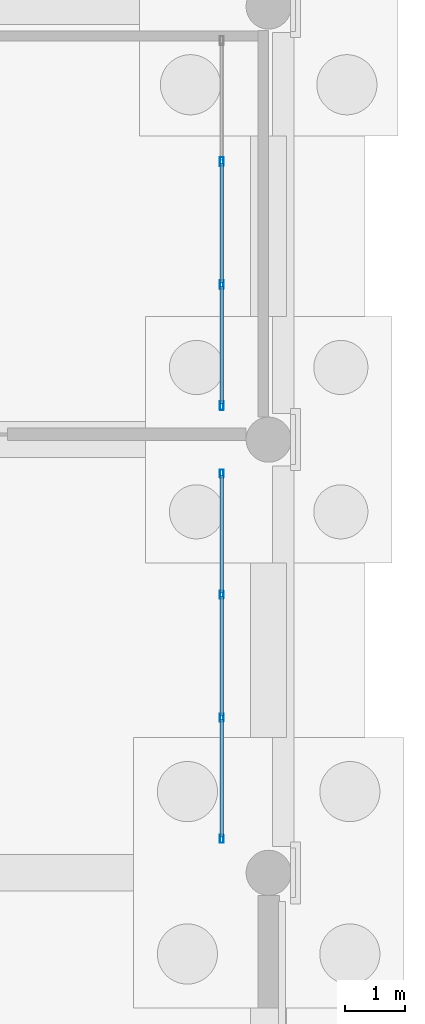
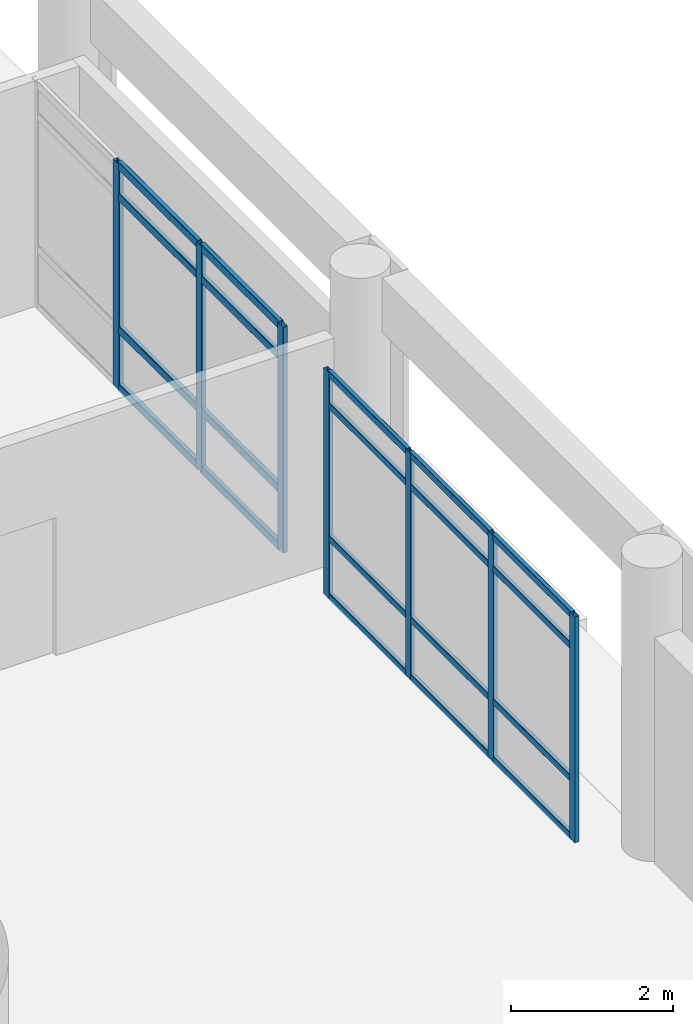
# One storey, part 129 of 196: 27 members, 2 elements without a shape of their own.
"""IFC4 building model written with IfcOpenShell, lengths in metres."""

import ifcopenshell
import ifcopenshell.guid

model = None  # the IFC model being written
_history = None  # IfcOwnerHistory: only IFC2X3 demands one
_inside = {}  # id of a spatial element -> (the spatial element, [elements in it])
_under = {}  # id of a project, library or spatial element -> (it, [spatial elements below it])
_declared = {}  # id of a project -> (the project, [libraries it declares])
_typed = {}  # id of a type object -> (the type object, [elements of that type])
_made_of = {}  # id of a material, layer set ... -> (it, [elements and type objects made of it])


def new_model(schema):
    """Start an empty IFC model of exactly this schema.

    Asked for "IFC4X3", IfcOpenShell would pick the latest addendum, in which some entities
    have other attributes; the version numbers below select the first issue.
    IFC2X3 requires an IfcOwnerHistory on every rooted entity: one is made here for all.
    """
    global model, _history
    if schema == "IFC4X3":
        model = ifcopenshell.file(schema_version=(4, 3, 0, 0))
    else:
        model = ifcopenshell.file(schema=schema)
    _inside.clear()
    _under.clear()
    _declared.clear()
    _typed.clear()
    _made_of.clear()
    _history = None
    if model.schema == "IFC2X3":
        org = make("IfcOrganization", Name="unknown")
        user = make(
            "IfcPersonAndOrganization",
            ThePerson=make("IfcPerson", FamilyName="unknown"),
            TheOrganization=org,
        )
        app = make(
            "IfcApplication",
            ApplicationDeveloper=org,
            Version="unknown",
            ApplicationFullName="unknown",
            ApplicationIdentifier="unknown",
        )
        _history = make(
            "IfcOwnerHistory",
            OwningUser=user,
            OwningApplication=app,
            ChangeAction="ADDED",
            CreationDate=0,
        )
    return model


def make(cls, **values):
    """One entity of the class cls with the attributes given. An attribute that is None is left unset."""
    return model.create_entity(
        cls, **{name: value for name, value in values.items() if value is not None}
    )


def rooted(cls, **values):
    """An entity with a GlobalId (a new one), such as an element, a storey or a relation."""
    return make(cls, GlobalId=ifcopenshell.guid.new(), OwnerHistory=_history, **values)


def si_unit(unit_type, name, prefix=None):
    """IfcSIUnit, for example si_unit("LENGTHUNIT", "METRE", prefix="MILLI")."""
    return make("IfcSIUnit", UnitType=unit_type, Prefix=prefix, Name=name)


def assignment(units):
    """IfcUnitAssignment: the units of a project."""
    return None if units is None else make("IfcUnitAssignment", Units=units)


def point(xyz):
    """IfcCartesianPoint."""
    return None if xyz is None else make("IfcCartesianPoint", Coordinates=xyz)


def direction(xyz):
    """IfcDirection."""
    return None if xyz is None else make("IfcDirection", DirectionRatios=xyz)


def frame(location, z_axis=None, x_axis=None):
    """IfcAxis2Placement3D, a coordinate frame: its origin and axes. An axis left out is left unset."""
    return make(
        "IfcAxis2Placement3D",
        Location=point(location),
        Axis=direction(z_axis),
        RefDirection=direction(x_axis),
    )


def frame_2d(location, x_axis=None):
    """IfcAxis2Placement2D, a coordinate frame in the plane: its origin and x axis."""
    return make(
        "IfcAxis2Placement2D", Location=point(location), RefDirection=direction(x_axis)
    )


def origin():
    """The frame at (0, 0, 0) with its axes left unset."""
    return frame((0.0, 0.0, 0.0))


def origin_2d():
    """The frame at (0, 0) in the plane with its x axis left unset."""
    return frame_2d((0.0, 0.0))


def place(relative_to, where):
    """IfcLocalPlacement: puts the frame where relative to a parent placement (None: the world)."""
    return make(
        "IfcLocalPlacement", PlacementRelTo=relative_to, RelativePlacement=where
    )


def context(
    kind, dimensions, precision=None, world=None, true_north=None, identifier=None
):
    """IfcGeometricRepresentationContext, for example the 3D "Model" context."""
    return make(
        "IfcGeometricRepresentationContext",
        ContextIdentifier=identifier,
        ContextType=kind,
        CoordinateSpaceDimension=dimensions,
        Precision=precision,
        WorldCoordinateSystem=world,
        TrueNorth=true_north,
    )


def subcontext(parent, identifier, kind, view, scale=None):
    """IfcGeometricRepresentationSubContext, for example "Body" below "Model"."""
    return make(
        "IfcGeometricRepresentationSubContext",
        ContextIdentifier=identifier,
        ContextType=kind,
        ParentContext=parent,
        TargetScale=scale,
        TargetView=view,
    )


def project(units=None, contexts=None):
    """IfcProject with its units and contexts."""
    return rooted(
        "IfcProject",
        Name="project",
        RepresentationContexts=contexts,
        UnitsInContext=assignment(units),
    )


def spatial(cls, under=None, at=None, **own):
    """A site, building, storey or space (cls), placed at a placement, below another one or the project."""
    s = rooted(cls, ObjectPlacement=at, **own)
    if under is not None:
        _under.setdefault(under.id(), (under, []))[1].append(s)
    return s


def profile(cls, at=None, kind="AREA", **sizes):
    """A parametric profile (cls). Its sizes go by their IFC names, for example OverallWidth=200.0."""
    return make(cls, ProfileType=kind, Position=at, **sizes)


def hollow_rectangle(**sizes):
    """IfcRectangleHollowProfileDef."""
    return profile("IfcRectangleHollowProfileDef", **sizes)


def extrude(swept, where, along, depth):
    """IfcExtrudedAreaSolid: the profile swept, set in the frame where, extruded along a direction by depth."""
    return make(
        "IfcExtrudedAreaSolid",
        SweptArea=swept,
        Position=where,
        ExtrudedDirection=direction(along),
        Depth=depth,
    )


def shape(context_of_items, identifier, shape_type, items):
    """IfcShapeRepresentation: the items that make up one representation, for example the "Body"."""
    return make(
        "IfcShapeRepresentation",
        ContextOfItems=context_of_items,
        RepresentationIdentifier=identifier,
        RepresentationType=shape_type,
        Items=items,
    )


def material(Name=None, Category=None):
    """IfcMaterial."""
    return make("IfcMaterial", Name=Name, Category=Category)


def layer(
    of_material, thickness, ventilated=None, Name=None, Category=None, Priority=None
):
    """IfcMaterialLayer: one layer of a wall or slab, of a material (None: an air gap)."""
    return make(
        "IfcMaterialLayer",
        Material=of_material,
        LayerThickness=thickness,
        IsVentilated=ventilated,
        Name=Name,
        Category=Category,
        Priority=Priority,
    )


def layer_set(layers, Name=None):
    """IfcMaterialLayerSet."""
    return make("IfcMaterialLayerSet", MaterialLayers=layers, LayerSetName=Name)


def material_profile(
    of_material, cross_section, Name=None, Category=None, Priority=None
):
    """IfcMaterialProfile: a cross section and its material."""
    return make(
        "IfcMaterialProfile",
        Name=Name,
        Material=of_material,
        Profile=cross_section,
        Priority=Priority,
        Category=Category,
    )


def profile_set(profiles, Name=None, composite=None):
    """IfcMaterialProfileSet."""
    return make(
        "IfcMaterialProfileSet",
        Name=Name,
        MaterialProfiles=profiles,
        CompositeProfile=composite,
    )


def made_of(thing, what):
    """Note that an element or type object is made of a material, layer set ...; save() writes the relation."""
    if what is not None:
        _made_of.setdefault(what.id(), (what, []))[1].append(thing)
    return thing


def type_object(cls, material=None, **own):
    """A type object (cls), such as IfcWallType, which elements share."""
    return made_of(rooted(cls, **own), material)


def element(
    cls,
    number,
    at=None,
    inside=None,
    cuts=None,
    type_object=None,
    material=None,
    context=None,
    identifier="Body",
    shape_type=None,
    held_by="IfcProductDefinitionShape",
    body=None,
    shapes=None,
    **own,
):
    """One element of the class cls, such as IfcWall. Its Tag is "e" and its number.

    at: its placement. inside: the storey or other place that contains it. cuts: it is an
    opening in that element (IfcRelVoidsElement). A single representation is given by context,
    identifier, shape_type and body (its items); several are given by shapes. held_by: the class
    of the entity that holds the representations. save() writes the other relations.
    """
    e = rooted(cls, Tag="e%d" % number, ObjectPlacement=at, **own)
    if body is not None:
        shapes = [shape(context, identifier, shape_type, body)]
    if shapes is not None:
        e.Representation = make(held_by, Representations=shapes)
    if inside is not None:
        _inside.setdefault(inside.id(), (inside, []))[1].append(e)
    if cuts is not None:
        rooted(
            "IfcRelVoidsElement", RelatingBuildingElement=cuts, RelatedOpeningElement=e
        )
    if type_object is not None:
        _typed.setdefault(type_object.id(), (type_object, []))[1].append(e)
    return made_of(e, material)


def aggregate(whole, parts):
    """IfcRelAggregates: a whole, such as a stair, and the parts it consists of."""
    return rooted("IfcRelAggregates", RelatingObject=whole, RelatedObjects=parts)


def save(model, path):
    """Write the relations noted so far, then the file.

    IfcRelAggregates (storeys below a building ...), IfcRelContainedInSpatialStructure (elements
    in a storey), IfcRelDefinesByType, IfcRelAssociatesMaterial and IfcRelDeclares: one each for
    every whole, place, type object, material and project.
    """
    for whole, parts in _under.values():
        aggregate(whole, parts)
    for where, things in _inside.values():
        rooted(
            "IfcRelContainedInSpatialStructure",
            RelatedElements=things,
            RelatingStructure=where,
        )
    for kind, things in _typed.values():
        rooted("IfcRelDefinesByType", RelatedObjects=things, RelatingType=kind)
    for what, things in _made_of.values():
        rooted("IfcRelAssociatesMaterial", RelatedObjects=things, RelatingMaterial=what)
    for by, libraries in _declared.values():
        rooted("IfcRelDeclares", RelatingContext=by, RelatedDefinitions=libraries)
    model.write(path)


model = new_model("IFC4")

# Units and contexts
model_context = context("Model", 3, precision=1e-05, world=origin(), true_north=direction((0.0, 1.0)))
body_context = subcontext(model_context, "Body", "Model", "MODEL_VIEW")
ifc_project = project(units=[si_unit("LENGTHUNIT", "METRE"), si_unit("AREAUNIT", "SQUARE_METRE"), si_unit("VOLUMEUNIT", "CUBIC_METRE"), si_unit("PLANEANGLEUNIT", "RADIAN"), si_unit("MASSUNIT", "GRAM", prefix="KILO")], contexts=[model_context])

# Site, building, storey
site_placement = place(None, origin())
site = spatial("IfcSite", under=ifc_project, at=site_placement, CompositionType="ELEMENT")
building_placement = place(site_placement, origin())
building = spatial("IfcBuilding", under=site, at=building_placement, Name="Asteropetra Specialist Clinic", CompositionType="ELEMENT")
storey_placement = place(building_placement, origin())
storey = spatial("IfcBuildingStorey", under=building, at=storey_placement, Name="L00", CompositionType="ELEMENT", Elevation=0.0)

# Curtain wall, members
ifc_material_1 = material(Name="Aluminium and low-E glass", Category="aluminium")
ifc_layer_1 = layer(ifc_material_1, 0.14990234375)
ifc_layer_set_1 = layer_set([ifc_layer_1], Name="Aluminium and low-E glass")
curtain_wall_type_1 = type_object("IfcCurtainWallType", Name="CW-SYS-11", PredefinedType="USERDEFINED", material=ifc_layer_set_1)
curtain_wall_1_placement = place(storey_placement, origin())
curtain_wall_1 = element("IfcCurtainWall", 1, at=curtain_wall_1_placement, inside=storey, type_object=curtain_wall_type_1, Name="Curtain Wall CW-203", ObjectType="STICK GLAZED COLONNADE", PredefinedType="USERDEFINED")
ifc_material_2 = material(Name="Aluminium 6063-T6", Category="aluminium")
ifc_material_profile_1 = material_profile(ifc_material_2, hollow_rectangle(XDim=0.06005859375, YDim=0.135009765625, WallThickness=0.00341796875, InnerFilletRadius=0.00341796875, OuterFilletRadius=0.007080078125, at=origin_2d()), Name="MUL 135x60x3.5")
ifc_profile_set_1 = profile_set([ifc_material_profile_1], Name="Aluminium 6063-T6")
member_type_1 = type_object("IfcMemberType", Name="CWM-135x60", PredefinedType="MULLION", material=ifc_profile_set_1)
member_1_placement = place(storey_placement, frame((152.820068359375, 34.1650390625, 0.0), z_axis=(0.0, 0.0, 1.0), x_axis=(-1.0, 0.0, 0.0)))
member_1 = element("IfcMember", 2, at=member_1_placement, type_object=member_type_1, Name="CW-203 mullion 1", PredefinedType="MULLION", context=body_context, shape_type="SweptSolid", body=[
    extrude(hollow_rectangle(XDim=0.06005859375, YDim=0.135009765625, WallThickness=0.00341796875, InnerFilletRadius=0.00341796875, OuterFilletRadius=0.007080078125, at=origin_2d()), origin(), (0.0, 0.0, 1.0), 3.39990234375),
])
member_2_placement = place(storey_placement, frame((152.820068359375, 36.17822265625, 0.0), z_axis=(0.0, 0.0, 1.0), x_axis=(-1.0, 0.0, 0.0)))
member_2 = element("IfcMember", 3, at=member_2_placement, type_object=member_type_1, Name="CW-203 mullion 2", PredefinedType="MULLION", context=body_context, shape_type="SweptSolid", body=[
    extrude(hollow_rectangle(XDim=0.06005859375, YDim=0.135009765625, WallThickness=0.00341796875, InnerFilletRadius=0.00341796875, OuterFilletRadius=0.007080078125, at=origin_2d()), origin(), (0.0, 0.0, 1.0), 3.39990234375),
])
member_3_placement = place(storey_placement, frame((152.820068359375, 38.2216796875, 0.0), z_axis=(0.0, 0.0, 1.0), x_axis=(-1.0, 0.0, 0.0)))
member_3 = element("IfcMember", 4, at=member_3_placement, type_object=member_type_1, Name="CW-203 mullion 3", PredefinedType="MULLION", context=body_context, shape_type="SweptSolid", body=[
    extrude(hollow_rectangle(XDim=0.06005859375, YDim=0.135009765625, WallThickness=0.00341796875, InnerFilletRadius=0.00341796875, OuterFilletRadius=0.007080078125, at=origin_2d()), origin(), (0.0, 0.0, 1.0), 3.39990234375),
])
member_4_placement = place(storey_placement, frame((152.820068359375, 40.235107421875, 0.0), z_axis=(0.0, 0.0, 1.0), x_axis=(-1.0, 0.0, 0.0)))
member_4 = element("IfcMember", 5, at=member_4_placement, type_object=member_type_1, Name="CW-203 mullion 4", PredefinedType="MULLION", context=body_context, shape_type="SweptSolid", body=[
    extrude(hollow_rectangle(XDim=0.06005859375, YDim=0.135009765625, WallThickness=0.00341796875, InnerFilletRadius=0.00341796875, OuterFilletRadius=0.007080078125, at=origin_2d()), origin(), (0.0, 0.0, 1.0), 3.39990234375),
])

ifc_material_3 = material(Name="Aluminium and low-E glass", Category="aluminium")
ifc_layer_2 = layer(ifc_material_3, 0.179931640625)
ifc_layer_set_2 = layer_set([ifc_layer_2], Name="Aluminium and low-E glass")
curtain_wall_type_2 = type_object("IfcCurtainWallType", Name="CW-SYS-10", PredefinedType="USERDEFINED", material=ifc_layer_set_2)
curtain_wall_2_placement = place(storey_placement, origin())
curtain_wall_2 = element("IfcCurtainWall", 6, at=curtain_wall_2_placement, inside=storey, type_object=curtain_wall_type_2, Name="Curtain Wall CW-205", ObjectType="STICK GLAZED COLONNADE", PredefinedType="USERDEFINED")
ifc_material_4 = material(Name="Aluminium 6063-T6", Category="aluminium")
ifc_material_profile_2 = material_profile(ifc_material_4, hollow_rectangle(XDim=0.06494140625, YDim=0.14990234375, WallThickness=0.00390625, InnerFilletRadius=0.00390625, OuterFilletRadius=0.008056640625, at=origin_2d()), Name="MUL 150x65x4.0")
ifc_profile_set_2 = profile_set([ifc_material_profile_2], Name="Aluminium 6063-T6")
member_type_2 = type_object("IfcMemberType", Name="CWM-150x65", PredefinedType="MULLION", material=ifc_profile_set_2)
member_5_placement = place(storey_placement, frame((152.820068359375, 41.367431640625, 0.0), z_axis=(0.0, 0.0, 1.0), x_axis=(-1.0, 0.0, 0.0)))
member_5 = element("IfcMember", 7, at=member_5_placement, type_object=member_type_2, Name="CW-205 mullion 1", PredefinedType="MULLION", context=body_context, shape_type="SweptSolid", body=[
    extrude(hollow_rectangle(XDim=0.06494140625, YDim=0.14990234375, WallThickness=0.00390625, InnerFilletRadius=0.00390625, OuterFilletRadius=0.008056640625, at=origin_2d()), origin(), (0.0, 0.0, 1.0), 3.39990234375),
])
member_6_placement = place(storey_placement, frame((152.820068359375, 43.37841796875, 0.0), z_axis=(0.0, 0.0, 1.0), x_axis=(-1.0, 0.0, 0.0)))
member_6 = element("IfcMember", 8, at=member_6_placement, type_object=member_type_2, Name="CW-205 mullion 2", PredefinedType="MULLION", context=body_context, shape_type="SweptSolid", body=[
    extrude(hollow_rectangle(XDim=0.06494140625, YDim=0.14990234375, WallThickness=0.00390625, InnerFilletRadius=0.00390625, OuterFilletRadius=0.008056640625, at=origin_2d()), origin(), (0.0, 0.0, 1.0), 3.39990234375),
])
member_7_placement = place(storey_placement, frame((152.820068359375, 45.421630859375, 0.0), z_axis=(0.0, 0.0, 1.0), x_axis=(-1.0, 0.0, 0.0)))
member_7 = element("IfcMember", 9, at=member_7_placement, type_object=member_type_2, Name="CW-205 mullion 3", PredefinedType="MULLION", context=body_context, shape_type="SweptSolid", body=[
    extrude(hollow_rectangle(XDim=0.06494140625, YDim=0.14990234375, WallThickness=0.00390625, InnerFilletRadius=0.00390625, OuterFilletRadius=0.008056640625, at=origin_2d()), origin(), (0.0, 0.0, 1.0), 3.39990234375),
])

# Member
ifc_material_5 = material(Name="Aluminium 6063-T6", Category="aluminium")
ifc_material_profile_3 = material_profile(ifc_material_5, hollow_rectangle(XDim=0.06005859375, YDim=0.10009765625, WallThickness=0.00341796875, InnerFilletRadius=0.00341796875, OuterFilletRadius=0.007080078125, at=origin_2d()), Name="TRN 100x60x3.5")
ifc_profile_set_3 = profile_set([ifc_material_profile_3], Name="Aluminium 6063-T6")
member_type_3 = type_object("IfcMemberType", Name="CWT-100x60", PredefinedType="USERDEFINED", material=ifc_profile_set_3)
member_8_placement = place(storey_placement, frame((152.820068359375, 34.195068359375, 0.030029296875), z_axis=(0.0, 1.0, 0.0), x_axis=(-1.0, 0.0, 0.0)))
member_8 = element("IfcMember", 10, at=member_8_placement, type_object=member_type_3, Name="CW-203 transom 1.1", ObjectType="TRANSOM", PredefinedType="USERDEFINED", context=body_context, shape_type="SweptSolid", body=[
    extrude(hollow_rectangle(XDim=0.06005859375, YDim=0.10009765625, WallThickness=0.00341796875, InnerFilletRadius=0.00341796875, OuterFilletRadius=0.007080078125, at=origin_2d()), origin(), (0.0, 0.0, 1.0), 1.953369140625),
])

member_9_placement = place(storey_placement, frame((152.820068359375, 34.195068359375, 0.89990234375), z_axis=(0.0, 1.0, 0.0), x_axis=(-1.0, 0.0, 0.0)))
member_9 = element("IfcMember", 11, at=member_9_placement, type_object=member_type_3, Name="CW-203 transom 1.2", ObjectType="TRANSOM", PredefinedType="USERDEFINED", context=body_context, shape_type="SweptSolid", body=[
    extrude(hollow_rectangle(XDim=0.06005859375, YDim=0.10009765625, WallThickness=0.00341796875, InnerFilletRadius=0.00341796875, OuterFilletRadius=0.007080078125, at=origin_2d()), origin(), (0.0, 0.0, 1.0), 1.953369140625),
])

member_10_placement = place(storey_placement, frame((152.820068359375, 34.195068359375, 2.89990234375), z_axis=(0.0, 1.0, 0.0), x_axis=(-1.0, 0.0, 0.0)))
member_10 = element("IfcMember", 12, at=member_10_placement, type_object=member_type_3, Name="CW-203 transom 1.3", ObjectType="TRANSOM", PredefinedType="USERDEFINED", context=body_context, shape_type="SweptSolid", body=[
    extrude(hollow_rectangle(XDim=0.06005859375, YDim=0.10009765625, WallThickness=0.00341796875, InnerFilletRadius=0.00341796875, OuterFilletRadius=0.007080078125, at=origin_2d()), origin(), (0.0, 0.0, 1.0), 1.953369140625),
])

member_11_placement = place(storey_placement, frame((152.820068359375, 34.195068359375, 3.3701171875), z_axis=(0.0, 1.0, 0.0), x_axis=(-1.0, 0.0, 0.0)))
member_11 = element("IfcMember", 13, at=member_11_placement, type_object=member_type_3, Name="CW-203 transom 1.4", ObjectType="TRANSOM", PredefinedType="USERDEFINED", context=body_context, shape_type="SweptSolid", body=[
    extrude(hollow_rectangle(XDim=0.06005859375, YDim=0.10009765625, WallThickness=0.00341796875, InnerFilletRadius=0.00341796875, OuterFilletRadius=0.007080078125, at=origin_2d()), origin(), (0.0, 0.0, 1.0), 1.953369140625),
])

member_12_placement = place(storey_placement, frame((152.820068359375, 36.208251953125, 0.030029296875), z_axis=(0.0, 1.0, 0.0), x_axis=(-1.0, 0.0, 0.0)))
member_12 = element("IfcMember", 14, at=member_12_placement, type_object=member_type_3, Name="CW-203 transom 2.1", ObjectType="TRANSOM", PredefinedType="USERDEFINED", context=body_context, shape_type="SweptSolid", body=[
    extrude(hollow_rectangle(XDim=0.06005859375, YDim=0.10009765625, WallThickness=0.00341796875, InnerFilletRadius=0.00341796875, OuterFilletRadius=0.007080078125, at=origin_2d()), origin(), (0.0, 0.0, 1.0), 1.9833984375),
])

member_13_placement = place(storey_placement, frame((152.820068359375, 36.208251953125, 0.89990234375), z_axis=(0.0, 1.0, 0.0), x_axis=(-1.0, 0.0, 0.0)))
member_13 = element("IfcMember", 15, at=member_13_placement, type_object=member_type_3, Name="CW-203 transom 2.2", ObjectType="TRANSOM", PredefinedType="USERDEFINED", context=body_context, shape_type="SweptSolid", body=[
    extrude(hollow_rectangle(XDim=0.06005859375, YDim=0.10009765625, WallThickness=0.00341796875, InnerFilletRadius=0.00341796875, OuterFilletRadius=0.007080078125, at=origin_2d()), origin(), (0.0, 0.0, 1.0), 1.9833984375),
])

member_14_placement = place(storey_placement, frame((152.820068359375, 36.208251953125, 2.89990234375), z_axis=(0.0, 1.0, 0.0), x_axis=(-1.0, 0.0, 0.0)))
member_14 = element("IfcMember", 16, at=member_14_placement, type_object=member_type_3, Name="CW-203 transom 2.3", ObjectType="TRANSOM", PredefinedType="USERDEFINED", context=body_context, shape_type="SweptSolid", body=[
    extrude(hollow_rectangle(XDim=0.06005859375, YDim=0.10009765625, WallThickness=0.00341796875, InnerFilletRadius=0.00341796875, OuterFilletRadius=0.007080078125, at=origin_2d()), origin(), (0.0, 0.0, 1.0), 1.9833984375),
])

member_15_placement = place(storey_placement, frame((152.820068359375, 36.208251953125, 3.3701171875), z_axis=(0.0, 1.0, 0.0), x_axis=(-1.0, 0.0, 0.0)))
member_15 = element("IfcMember", 17, at=member_15_placement, type_object=member_type_3, Name="CW-203 transom 2.4", ObjectType="TRANSOM", PredefinedType="USERDEFINED", context=body_context, shape_type="SweptSolid", body=[
    extrude(hollow_rectangle(XDim=0.06005859375, YDim=0.10009765625, WallThickness=0.00341796875, InnerFilletRadius=0.00341796875, OuterFilletRadius=0.007080078125, at=origin_2d()), origin(), (0.0, 0.0, 1.0), 1.9833984375),
])

member_16_placement = place(storey_placement, frame((152.820068359375, 38.251708984375, 0.030029296875), z_axis=(0.0, 1.0, 0.0), x_axis=(-1.0, 0.0, 0.0)))
member_16 = element("IfcMember", 18, at=member_16_placement, type_object=member_type_3, Name="CW-203 transom 3.1", ObjectType="TRANSOM", PredefinedType="USERDEFINED", context=body_context, shape_type="SweptSolid", body=[
    extrude(hollow_rectangle(XDim=0.06005859375, YDim=0.10009765625, WallThickness=0.00341796875, InnerFilletRadius=0.00341796875, OuterFilletRadius=0.007080078125, at=origin_2d()), origin(), (0.0, 0.0, 1.0), 1.953369140625),
])

member_17_placement = place(storey_placement, frame((152.820068359375, 38.251708984375, 0.89990234375), z_axis=(0.0, 1.0, 0.0), x_axis=(-1.0, 0.0, 0.0)))
member_17 = element("IfcMember", 19, at=member_17_placement, type_object=member_type_3, Name="CW-203 transom 3.2", ObjectType="TRANSOM", PredefinedType="USERDEFINED", context=body_context, shape_type="SweptSolid", body=[
    extrude(hollow_rectangle(XDim=0.06005859375, YDim=0.10009765625, WallThickness=0.00341796875, InnerFilletRadius=0.00341796875, OuterFilletRadius=0.007080078125, at=origin_2d()), origin(), (0.0, 0.0, 1.0), 1.953369140625),
])

member_18_placement = place(storey_placement, frame((152.820068359375, 38.251708984375, 2.89990234375), z_axis=(0.0, 1.0, 0.0), x_axis=(-1.0, 0.0, 0.0)))
member_18 = element("IfcMember", 20, at=member_18_placement, type_object=member_type_3, Name="CW-203 transom 3.3", ObjectType="TRANSOM", PredefinedType="USERDEFINED", context=body_context, shape_type="SweptSolid", body=[
    extrude(hollow_rectangle(XDim=0.06005859375, YDim=0.10009765625, WallThickness=0.00341796875, InnerFilletRadius=0.00341796875, OuterFilletRadius=0.007080078125, at=origin_2d()), origin(), (0.0, 0.0, 1.0), 1.953369140625),
])

member_19_placement = place(storey_placement, frame((152.820068359375, 38.251708984375, 3.3701171875), z_axis=(0.0, 1.0, 0.0), x_axis=(-1.0, 0.0, 0.0)))
member_19 = element("IfcMember", 21, at=member_19_placement, type_object=member_type_3, Name="CW-203 transom 3.4", ObjectType="TRANSOM", PredefinedType="USERDEFINED", context=body_context, shape_type="SweptSolid", body=[
    extrude(hollow_rectangle(XDim=0.06005859375, YDim=0.10009765625, WallThickness=0.00341796875, InnerFilletRadius=0.00341796875, OuterFilletRadius=0.007080078125, at=origin_2d()), origin(), (0.0, 0.0, 1.0), 1.953369140625),
])

aggregate(curtain_wall_1, [member_1, member_2, member_3, member_4, member_8, member_9, member_10, member_11, member_12, member_13, member_14, member_15, member_16, member_17, member_18, member_19])

ifc_material_6 = material(Name="Aluminium 6063-T6", Category="aluminium")
ifc_material_profile_4 = material_profile(ifc_material_6, hollow_rectangle(XDim=0.06494140625, YDim=0.1201171875, WallThickness=0.00390625, InnerFilletRadius=0.00390625, OuterFilletRadius=0.008056640625, at=origin_2d()), Name="TRN 120x65x4.0")
ifc_profile_set_4 = profile_set([ifc_material_profile_4], Name="Aluminium 6063-T6")
member_type_4 = type_object("IfcMemberType", Name="CWT-120x65", PredefinedType="USERDEFINED", material=ifc_profile_set_4)
member_20_placement = place(storey_placement, frame((152.820068359375, 41.39990234375, 0.032470703125), z_axis=(0.0, 1.0, 0.0), x_axis=(-1.0, 0.0, 0.0)))
member_20 = element("IfcMember", 22, at=member_20_placement, type_object=member_type_4, Name="CW-205 transom 1.1", ObjectType="TRANSOM", PredefinedType="USERDEFINED", context=body_context, shape_type="SweptSolid", body=[
    extrude(hollow_rectangle(XDim=0.06494140625, YDim=0.1201171875, WallThickness=0.00390625, InnerFilletRadius=0.00390625, OuterFilletRadius=0.008056640625, at=origin_2d()), origin(), (0.0, 0.0, 1.0), 1.946044921875),
])

member_21_placement = place(storey_placement, frame((152.820068359375, 41.39990234375, 0.89990234375), z_axis=(0.0, 1.0, 0.0), x_axis=(-1.0, 0.0, 0.0)))
member_21 = element("IfcMember", 23, at=member_21_placement, type_object=member_type_4, Name="CW-205 transom 1.2", ObjectType="TRANSOM", PredefinedType="USERDEFINED", context=body_context, shape_type="SweptSolid", body=[
    extrude(hollow_rectangle(XDim=0.06494140625, YDim=0.1201171875, WallThickness=0.00390625, InnerFilletRadius=0.00390625, OuterFilletRadius=0.008056640625, at=origin_2d()), origin(), (0.0, 0.0, 1.0), 1.946044921875),
])

member_22_placement = place(storey_placement, frame((152.820068359375, 41.39990234375, 2.89990234375), z_axis=(0.0, 1.0, 0.0), x_axis=(-1.0, 0.0, 0.0)))
member_22 = element("IfcMember", 24, at=member_22_placement, type_object=member_type_4, Name="CW-205 transom 1.3", ObjectType="TRANSOM", PredefinedType="USERDEFINED", context=body_context, shape_type="SweptSolid", body=[
    extrude(hollow_rectangle(XDim=0.06494140625, YDim=0.1201171875, WallThickness=0.00390625, InnerFilletRadius=0.00390625, OuterFilletRadius=0.008056640625, at=origin_2d()), origin(), (0.0, 0.0, 1.0), 1.946044921875),
])

member_23_placement = place(storey_placement, frame((152.820068359375, 41.39990234375, 3.367431640625), z_axis=(0.0, 1.0, 0.0), x_axis=(-1.0, 0.0, 0.0)))
member_23 = element("IfcMember", 25, at=member_23_placement, type_object=member_type_4, Name="CW-205 transom 1.4", ObjectType="TRANSOM", PredefinedType="USERDEFINED", context=body_context, shape_type="SweptSolid", body=[
    extrude(hollow_rectangle(XDim=0.06494140625, YDim=0.1201171875, WallThickness=0.00390625, InnerFilletRadius=0.00390625, OuterFilletRadius=0.008056640625, at=origin_2d()), origin(), (0.0, 0.0, 1.0), 1.946044921875),
])

member_24_placement = place(storey_placement, frame((152.820068359375, 43.410888671875, 0.032470703125), z_axis=(0.0, 1.0, 0.0), x_axis=(-1.0, 0.0, 0.0)))
member_24 = element("IfcMember", 26, at=member_24_placement, type_object=member_type_4, Name="CW-205 transom 2.1", ObjectType="TRANSOM", PredefinedType="USERDEFINED", context=body_context, shape_type="SweptSolid", body=[
    extrude(hollow_rectangle(XDim=0.06494140625, YDim=0.1201171875, WallThickness=0.00390625, InnerFilletRadius=0.00390625, OuterFilletRadius=0.008056640625, at=origin_2d()), origin(), (0.0, 0.0, 1.0), 1.978271484375),
])

member_25_placement = place(storey_placement, frame((152.820068359375, 43.410888671875, 0.89990234375), z_axis=(0.0, 1.0, 0.0), x_axis=(-1.0, 0.0, 0.0)))
member_25 = element("IfcMember", 27, at=member_25_placement, type_object=member_type_4, Name="CW-205 transom 2.2", ObjectType="TRANSOM", PredefinedType="USERDEFINED", context=body_context, shape_type="SweptSolid", body=[
    extrude(hollow_rectangle(XDim=0.06494140625, YDim=0.1201171875, WallThickness=0.00390625, InnerFilletRadius=0.00390625, OuterFilletRadius=0.008056640625, at=origin_2d()), origin(), (0.0, 0.0, 1.0), 1.978271484375),
])

member_26_placement = place(storey_placement, frame((152.820068359375, 43.410888671875, 2.89990234375), z_axis=(0.0, 1.0, 0.0), x_axis=(-1.0, 0.0, 0.0)))
member_26 = element("IfcMember", 28, at=member_26_placement, type_object=member_type_4, Name="CW-205 transom 2.3", ObjectType="TRANSOM", PredefinedType="USERDEFINED", context=body_context, shape_type="SweptSolid", body=[
    extrude(hollow_rectangle(XDim=0.06494140625, YDim=0.1201171875, WallThickness=0.00390625, InnerFilletRadius=0.00390625, OuterFilletRadius=0.008056640625, at=origin_2d()), origin(), (0.0, 0.0, 1.0), 1.978271484375),
])

member_27_placement = place(storey_placement, frame((152.820068359375, 43.410888671875, 3.367431640625), z_axis=(0.0, 1.0, 0.0), x_axis=(-1.0, 0.0, 0.0)))
member_27 = element("IfcMember", 29, at=member_27_placement, type_object=member_type_4, Name="CW-205 transom 2.4", ObjectType="TRANSOM", PredefinedType="USERDEFINED", context=body_context, shape_type="SweptSolid", body=[
    extrude(hollow_rectangle(XDim=0.06494140625, YDim=0.1201171875, WallThickness=0.00390625, InnerFilletRadius=0.00390625, OuterFilletRadius=0.008056640625, at=origin_2d()), origin(), (0.0, 0.0, 1.0), 1.978271484375),
])

aggregate(curtain_wall_2, [member_5, member_6, member_7, member_20, member_21, member_22, member_23, member_24, member_25, member_26, member_27])

save(model, "model.ifc")
